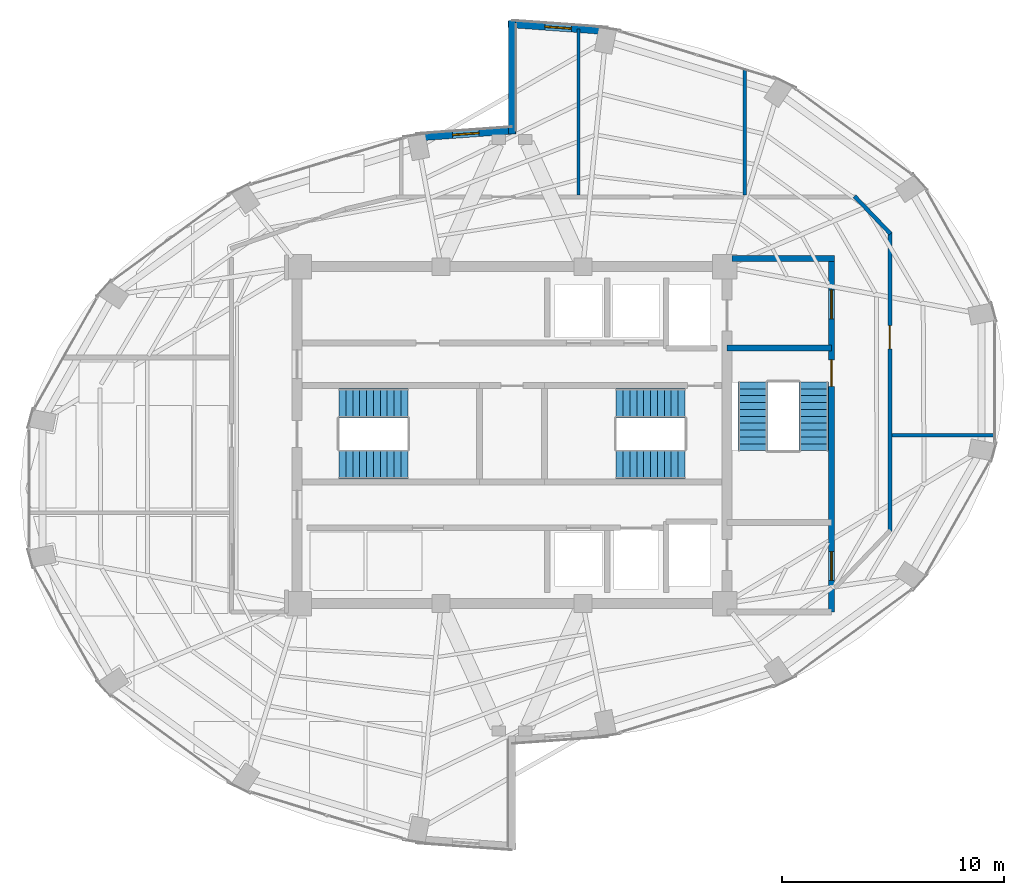
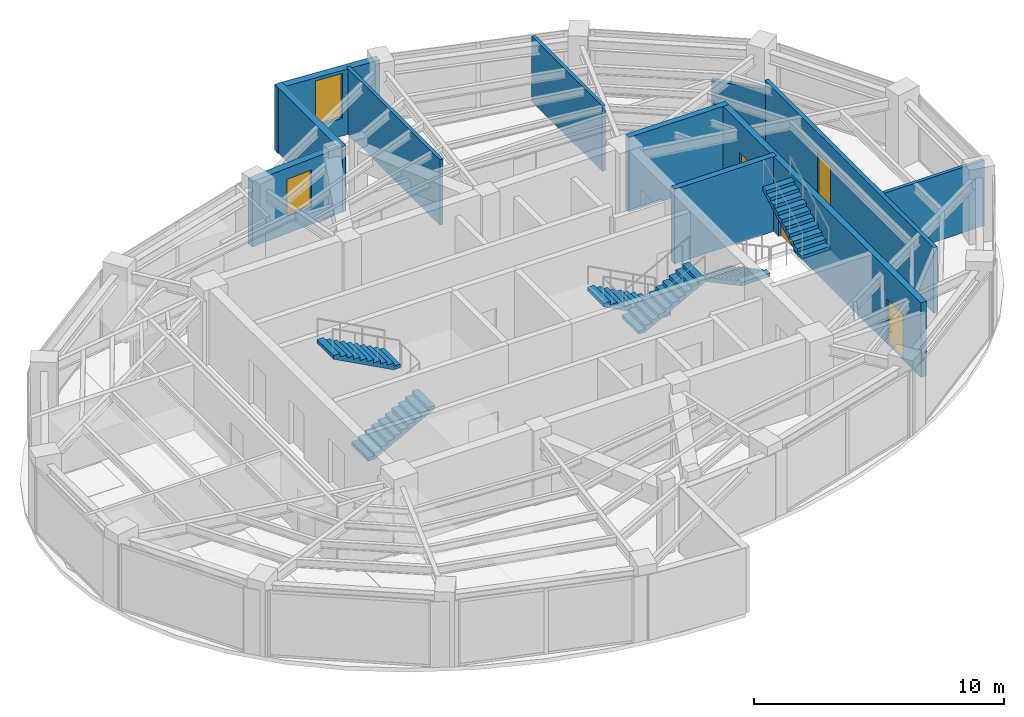
# One storey, part 20 of 22: 11 walls, 6 stair flights, 4 doors, 2 windows, 6 openings, 3 elements without a shape of their own.
"""IFC4 building model written with IfcOpenShell, lengths in metres."""

from ifc_helpers import new_model, si_unit, direction, frame, frame_2d, origin, place, context, subcontext, project, spatial, polyline, rectangle, outline, extrude, material, layer, layer_set, type_object, element, fill, aggregate, save


model = new_model("IFC4")

# Units and contexts
model_context = context("Model", 3, precision=1e-05, world=origin(), true_north=direction((0.0, 1.0)))
body_context = subcontext(model_context, "Body", "Model", "MODEL_VIEW")
ifc_project = project(units=[si_unit("LENGTHUNIT", "METRE"), si_unit("AREAUNIT", "SQUARE_METRE"), si_unit("VOLUMEUNIT", "CUBIC_METRE"), si_unit("PLANEANGLEUNIT", "RADIAN"), si_unit("MASSUNIT", "GRAM", prefix="KILO")], contexts=[model_context])

# Site, building, storey
site_placement = place(None, origin())
site = spatial("IfcSite", under=ifc_project, at=site_placement, CompositionType="ELEMENT")
building_placement = place(site_placement, origin())
building = spatial("IfcBuilding", under=site, at=building_placement, Name="Lazwardi Medical Tower", CompositionType="ELEMENT")
storey_placement = place(building_placement, frame((0.0, 0.0, 242.256103515625)))
storey = spatial("IfcBuildingStorey", under=building, at=storey_placement, Name="L63", CompositionType="ELEMENT", Elevation=242.256103515625)

# Wall
ifc_material_1 = material(Name="Fire-rated gypsum board on steel stud", Category="steel")
ifc_layer_1 = layer(ifc_material_1, 0.179931640625)
ifc_layer_set_1 = layer_set([ifc_layer_1], Name="Fire-rated gypsum board on steel stud")
wall_type_1 = type_object("IfcWallType", Name="WL-COR-180", PredefinedType="PARTITIONING", material=ifc_layer_set_1)
wall_1_placement = place(storey_placement, frame((51.45751953125, 38.77880859375, 0.0), z_axis=(0.0, 0.0, 1.0), x_axis=(0.691359830363, -0.722510612352, 0.0)))
element("IfcWall", 1, at=wall_1_placement, inside=storey, type_object=wall_type_1, Name="L63 Corridor partition 4", PredefinedType="PARTITIONING", context=body_context, shape_type="SweptSolid", body=[
    extrude(rectangle(XDim=2.34326171875, YDim=0.179931640625, at=frame_2d((1.171630859375, 0.0))), origin(), (0.0, 0.0, 1.0), 2.782958984375),
])

# Wall, opening, door
wall_2_placement = place(storey_placement, frame((53.050048828125, 37.154541015625, 0.0), z_axis=(0.0, 0.0, 1.0), x_axis=(0.0, -1.0, 0.0)))
wall_2 = element("IfcWall", 2, at=wall_2_placement, inside=storey, type_object=wall_type_1, Name="L63 Corridor partition 5", PredefinedType="PARTITIONING", context=body_context, shape_type="SweptSolid", body=[
    extrude(rectangle(XDim=13.509033203125, YDim=0.179931640625, at=frame_2d((6.75439453125, 0.0))), origin(), (0.0, 0.0, 1.0), 3.197998046875),
])
opening_1_placement = place(wall_2_placement, frame((4.211181640625, 0.0, 0.0)))
opening_1 = element("IfcOpeningElement", 3, at=opening_1_placement, cuts=wall_2, Name="Opening D-L63-010", PredefinedType="OPENING", context=body_context, shape_type="SweptSolid", body=[
    extrude(rectangle(XDim=1.050048828125, YDim=2.14990234375, at=frame_2d((0.52490234375, 1.074951171875))), frame((0.0, 0.099853515625, 0.0), z_axis=(0.0, -1.0, 0.0), x_axis=(1.0, 0.0, 0.0)), (0.0, 0.0, 1.0), 0.199951171875),
])
ifc_material_2 = material(Name="Anti-microbial laminate hospital leaf")
door_type_1 = type_object("IfcDoorType", Name="DR-CLN-1050", OperationType="NOTDEFINED", PredefinedType="DOOR", material=ifc_material_2)
door_1_placement = place(opening_1_placement, origin())
door_1 = element("IfcDoor", 4, at=door_1_placement, inside=storey, type_object=door_type_1, Name="L63 Medical Duty Staff Room Door 03", OperationType="SINGLE_SWING_LEFT", OverallHeight=2.14990234375, OverallWidth=1.050048828125, PredefinedType="DOOR", context=body_context, shape_type="SweptSolid", body=[
    extrude(rectangle(XDim=1.050048828125, YDim=2.14990234375, at=frame_2d((0.52490234375, 1.074951171875))), frame((0.0, 0.02490234375, 0.0), z_axis=(0.0, -1.0, 0.0), x_axis=(1.0, 0.0, 0.0)), (0.0, 0.0, 1.0), 0.050048828125),
])
fill(opening_1, door_1)

# Wall, opening, window
ifc_material_3 = material(Name="Precast concrete C45/55", Category="concrete")
ifc_layer_2 = layer(ifc_material_3, 0.320068359375)
ifc_layer_set_2 = layer_set([ifc_layer_2], Name="Precast concrete C45/55")
wall_type_2 = type_object("IfcWallType", Name="WL-IWAN-320", PredefinedType="SOLIDWALL", material=ifc_layer_set_2)
wall_3_placement = place(storey_placement, frame((40.349609375, 46.226318359375, 0.0), z_axis=(0.0, 0.0, 1.0), x_axis=(-0.997409061056, 0.071938619141, 0.0)))
wall_3 = element("IfcWall", 5, at=wall_3_placement, inside=storey, type_object=wall_type_2, Name="L63 Iwan Portal Return Wall NE_ret", PredefinedType="SOLIDWALL", context=body_context, shape_type="SweptSolid", body=[
    extrude(rectangle(XDim=4.540771484375, YDim=0.320068359375, at=frame_2d((2.2705078125, 0.0))), origin(), (0.0, 0.0, 1.0), 3.197998046875),
])
opening_2_placement = place(wall_3_placement, frame((1.67041015625, 0.0, 0.85009765625)))
opening_2 = element("IfcOpeningElement", 6, at=opening_2_placement, cuts=wall_3, Name="Opening WN-01", PredefinedType="OPENING", context=body_context, shape_type="SweptSolid", body=[
    extrude(rectangle(XDim=1.199951171875, YDim=2.199951171875, at=frame_2d((0.60009765625, 1.10009765625))), frame((0.0, 0.169921875, 0.0), z_axis=(0.0, -1.0, 0.0), x_axis=(1.0, 0.0, 0.0)), (0.0, 0.0, 1.0), 0.340087890625),
])
ifc_material_4 = material(Name="Low-e bronze solar control double glazing", Category="glass")
window_type_1 = type_object("IfcWindowType", Name="WIN-IW-1200", PartitioningType="SINGLE_PANEL", PredefinedType="WINDOW", material=ifc_material_4)
window_1_placement = place(opening_2_placement, origin())
window_1 = element("IfcWindow", 7, at=window_1_placement, inside=storey, type_object=window_type_1, Name="L63 Iwan Slot Window NE_ret", OverallHeight=2.199951171875, OverallWidth=1.199951171875, PartitioningType="SINGLE_PANEL", PredefinedType="WINDOW", context=body_context, shape_type="SweptSolid", body=[
    extrude(rectangle(XDim=1.199951171875, YDim=2.199951171875, at=frame_2d((0.60009765625, 1.10009765625))), frame((0.0, 0.030029296875, 0.0), z_axis=(0.0, -1.0, 0.0), x_axis=(1.0, 0.0, 0.0)), (0.0, 0.0, 1.0), 0.06005859375),
])
fill(opening_2, window_1)

wall_4_placement = place(storey_placement, frame((36.17919921875, 41.7529296875, 0.0), z_axis=(0.0, 0.0, 1.0), x_axis=(-0.997408782787, -0.071942477163, 0.0)))
wall_4 = element("IfcWall", 8, at=wall_4_placement, inside=storey, type_object=wall_type_2, Name="L63 Iwan Portal Return Wall NW_ret", PredefinedType="SOLIDWALL", context=body_context, shape_type="SweptSolid", body=[
    extrude(rectangle(XDim=4.54052734375, YDim=0.320068359375, at=frame_2d((2.270263671875, 0.0))), origin(), (0.0, 0.0, 1.0), 3.197998046875),
])
opening_3_placement = place(wall_4_placement, frame((1.67041015625, 0.0, 0.85009765625)))
opening_3 = element("IfcOpeningElement", 9, at=opening_3_placement, cuts=wall_4, Name="Opening WN-04", PredefinedType="OPENING", context=body_context, shape_type="SweptSolid", body=[
    extrude(rectangle(XDim=1.199951171875, YDim=1.800048828125, at=frame_2d((0.60009765625, 0.89990234375))), frame((0.0, 0.169921875, 0.0), z_axis=(0.0, -1.0, 0.0), x_axis=(1.0, 0.0, 0.0)), (0.0, 0.0, 1.0), 0.340087890625),
])
window_type_2 = type_object("IfcWindowType", Name="WIN-DRUM-1200", PartitioningType="SINGLE_PANEL", PredefinedType="WINDOW", material=ifc_material_4)
window_2_placement = place(opening_3_placement, origin())
window_2 = element("IfcWindow", 10, at=window_2_placement, inside=storey, type_object=window_type_2, Name="L63 Iwan Slot Window NW_ret", OverallHeight=1.800048828125, OverallWidth=1.199951171875, PartitioningType="SINGLE_PANEL", PredefinedType="WINDOW", context=body_context, shape_type="SweptSolid", body=[
    extrude(rectangle(XDim=1.199951171875, YDim=1.800048828125, at=frame_2d((0.60009765625, 0.89990234375))), frame((0.0, 0.030029296875, 0.0), z_axis=(0.0, -1.0, 0.0), x_axis=(1.0, 0.0, 0.0)), (0.0, 0.0, 1.0), 0.06005859375),
])
fill(opening_3, window_2)

# Wall
wall_5_placement = place(storey_placement, frame((36.0, 46.699951171875, 0.0), z_axis=(0.0, 0.0, 1.0), x_axis=(0.0, -1.0, 0.0)))
element("IfcWall", 11, at=wall_5_placement, inside=storey, type_object=wall_type_2, Name="L63 Turquoise Tilework Iwan Seam Wall N_seam", PredefinedType="SOLIDWALL", context=body_context, shape_type="SweptSolid", body=[
    extrude(rectangle(XDim=5.119873046875, YDim=0.320068359375, at=frame_2d((2.56005859375, 0.0))), origin(), (0.0, 0.0, 1.0), 3.197998046875),
])

# Wall, openings, doors
ifc_material_5 = material(Name="Concrete C50/60", Category="concrete")
ifc_layer_3 = layer(ifc_material_5, 0.27001953125)
ifc_layer_set_3 = layer_set([ifc_layer_3], Name="Concrete C50/60")
wall_type_3 = type_object("IfcWallType", Name="WL-STR-250", PredefinedType="SHEAR", material=ifc_layer_set_3)
wall_6_placement = place(storey_placement, frame((50.4150390625, 35.844970703125, 0.0), z_axis=(0.0, 0.0, 1.0), x_axis=(0.0, -1.0, 0.0)))
wall_6 = element("IfcWall", 12, at=wall_6_placement, inside=storey, type_object=wall_type_3, Name="L63 East ST3 & FFL shear wall SW-S1", PredefinedType="SHEAR", context=body_context, shape_type="SweptSolid", body=[
    extrude(rectangle(XDim=15.824951171875, YDim=0.27001953125, at=frame_2d((7.91259765625, 0.0))), origin(), (0.0, 0.0, 1.0), 3.64794921875),
])
opening_4_placement = place(wall_6_placement, frame((4.445068359375, 0.0, 0.0)))
opening_4 = element("IfcOpeningElement", 13, at=opening_4_placement, cuts=wall_6, Name="Opening D-L63-016", PredefinedType="OPENING", context=body_context, shape_type="SweptSolid", body=[
    extrude(rectangle(XDim=1.199951171875, YDim=2.14990234375, at=frame_2d((0.60009765625, 1.074951171875))), frame((0.0, 0.14501953125, 0.0), z_axis=(0.0, -1.0, 0.0), x_axis=(1.0, 0.0, 0.0)), (0.0, 0.0, 1.0), 0.2900390625),
])
opening_5_placement = place(wall_6_placement, frame((1.294921875, 0.0, 0.0)))
opening_5 = element("IfcOpeningElement", 14, at=opening_5_placement, cuts=wall_6, Name="Opening D-L63-004", PredefinedType="OPENING", context=body_context, shape_type="SweptSolid", body=[
    extrude(rectangle(XDim=1.300048828125, YDim=2.199951171875, at=frame_2d((0.64990234375, 1.10009765625))), frame((0.0, 0.14501953125, 0.0), z_axis=(0.0, -1.0, 0.0), x_axis=(1.0, 0.0, 0.0)), (0.0, 0.0, 1.0), 0.2900390625),
])
opening_6_placement = place(wall_6_placement, frame((13.094970703125, 0.0, 0.0)))
opening_6 = element("IfcOpeningElement", 15, at=opening_6_placement, cuts=wall_6, Name="Opening D-L63-005", PredefinedType="OPENING", context=body_context, shape_type="SweptSolid", body=[
    extrude(rectangle(XDim=1.300048828125, YDim=2.199951171875, at=frame_2d((0.64990234375, 1.10009765625))), frame((0.0, 0.14501953125, 0.0), z_axis=(0.0, -1.0, 0.0), x_axis=(1.0, 0.0, 0.0)), (0.0, 0.0, 1.0), 0.2900390625),
])
ifc_material_6 = material(Name="Fire-rated steel leaf and frame", Category="steel")
door_type_2 = type_object("IfcDoorType", Name="DR-FFL-1300", OperationType="NOTDEFINED", PredefinedType="DOOR", material=ifc_material_6)
door_2_placement = place(opening_5_placement, origin())
door_2 = element("IfcDoor", 16, at=door_2_placement, inside=storey, type_object=door_type_2, Name="L63 Fire-Fighting Lobby North Door", OperationType="SINGLE_SWING_LEFT", OverallHeight=2.199951171875, OverallWidth=1.300048828125, PredefinedType="DOOR", context=body_context, shape_type="SweptSolid", body=[
    extrude(rectangle(XDim=1.300048828125, YDim=2.199951171875, at=frame_2d((0.64990234375, 1.10009765625))), frame((0.0, 0.02490234375, 0.0), z_axis=(0.0, -1.0, 0.0), x_axis=(1.0, 0.0, 0.0)), (0.0, 0.0, 1.0), 0.050048828125),
])
fill(opening_5, door_2)
door_3_placement = place(opening_6_placement, origin())
door_3 = element("IfcDoor", 17, at=door_3_placement, inside=storey, type_object=door_type_2, Name="L63 Fire-Fighting Lobby South Door", OperationType="SINGLE_SWING_RIGHT", OverallHeight=2.199951171875, OverallWidth=1.300048828125, PredefinedType="DOOR", context=body_context, shape_type="SweptSolid", body=[
    extrude(rectangle(XDim=1.300048828125, YDim=2.199951171875, at=frame_2d((0.64990234375, 1.10009765625))), frame((0.0, 0.02490234375, 0.0), z_axis=(0.0, -1.0, 0.0), x_axis=(1.0, 0.0, 0.0)), (0.0, 0.0, 1.0), 0.050048828125),
])
fill(opening_6, door_3)
door_type_3 = type_object("IfcDoorType", Name="DR-STR-1200", OperationType="NOTDEFINED", PredefinedType="DOOR", material=ifc_material_6)
door_4_placement = place(opening_4_placement, origin())
door_4 = element("IfcDoor", 18, at=door_4_placement, inside=storey, type_object=door_type_3, Name="L63 Exit Stair ST3 Door", OperationType="SINGLE_SWING_RIGHT", OverallHeight=2.14990234375, OverallWidth=1.199951171875, PredefinedType="DOOR", context=body_context, shape_type="SweptSolid", body=[
    extrude(rectangle(XDim=1.199951171875, YDim=2.14990234375, at=frame_2d((0.60009765625, 1.074951171875))), frame((0.0, 0.02490234375, 0.0), z_axis=(0.0, -1.0, 0.0), x_axis=(1.0, 0.0, 0.0)), (0.0, 0.0, 1.0), 0.050048828125),
])
fill(opening_4, door_4)

# Walls
wall_7_placement = place(storey_placement, frame((45.925048828125, 35.97998046875, 0.0), z_axis=(0.0, 0.0, 1.0), x_axis=(1.0, 0.0, 0.0)))
element("IfcWall", 19, at=wall_7_placement, inside=storey, type_object=wall_type_3, Name="L63 FFL-N North shear wall SW-S1", PredefinedType="SHEAR", context=body_context, shape_type="SweptSolid", body=[
    extrude(rectangle(XDim=4.625, YDim=0.27001953125, at=frame_2d((2.3125, 0.0))), origin(), (0.0, 0.0, 1.0), 3.64794921875),
])
wall_8_placement = place(storey_placement, frame((45.699951171875, 31.93505859375, 0.0), z_axis=(0.0, 0.0, 1.0), x_axis=(1.0, 0.0, 0.0)))
element("IfcWall", 20, at=wall_8_placement, inside=storey, type_object=wall_type_3, Name="L63 ST3 North shear shaft wall SW-S1", PredefinedType="SHEAR", context=body_context, shape_type="SweptSolid", body=[
    extrude(rectangle(XDim=4.715087890625, YDim=0.27001953125, at=frame_2d((2.357421875, 0.0))), origin(), (0.0, 0.0, 1.0), 3.64794921875),
])
ifc_material_7 = material(Name="Acoustic gypsum board partition")
ifc_layer_4 = layer(ifc_material_7, 0.14990234375)
ifc_layer_set_4 = layer_set([ifc_layer_4], Name="Acoustic gypsum board partition")
wall_type_4 = type_object("IfcWallType", Name="WL-WRD-150", PredefinedType="PARTITIONING", material=ifc_layer_set_4)
wall_9_placement = place(storey_placement, frame((53.139892578125, 28.0, 0.0), z_axis=(0.0, 0.0, 1.0), x_axis=(1.0, 0.0, 0.0)))
element("IfcWall", 21, at=wall_9_placement, inside=storey, type_object=wall_type_4, Name="L63 Room partition 3", PredefinedType="PARTITIONING", context=body_context, shape_type="SweptSolid", body=[
    extrude(rectangle(XDim=4.6318359375, YDim=0.14990234375, at=frame_2d((2.31591796875, 0.0))), origin(), (0.0, 0.0, 1.0), 3.197998046875),
])
wall_10_placement = place(storey_placement, frame((39.0, 38.840087890625, 0.0), z_axis=(0.0, 0.0, 1.0), x_axis=(0.0, 1.0, 0.0)))
element("IfcWall", 22, at=wall_10_placement, inside=storey, type_object=wall_type_4, Name="L63 Room partition 5", PredefinedType="PARTITIONING", context=body_context, shape_type="SweptSolid", body=[
    extrude(rectangle(XDim=7.482421875, YDim=0.14990234375, at=frame_2d((3.7412109375, 0.0))), origin(), (0.0, 0.0, 1.0), 3.197998046875),
])
wall_11_placement = place(storey_placement, frame((46.5, 38.840087890625, 0.0), z_axis=(0.0, 0.0, 1.0), x_axis=(0.0, 1.0, 0.0)))
element("IfcWall", 23, at=wall_11_placement, inside=storey, type_object=wall_type_4, Name="L63 Room partition 6", PredefinedType="PARTITIONING", context=body_context, shape_type="SweptSolid", body=[
    extrude(rectangle(XDim=5.64111328125, YDim=0.14990234375, at=frame_2d((2.820556640625, 0.0))), origin(), (0.0, 0.0, 1.0), 3.197998046875),
])

# Stair, stair flights
ifc_material_8 = material(Name="Concrete C45/55", Category="concrete")
stair_type = type_object("IfcStairType", Name="STR-WRD", PredefinedType="HALF_TURN_STAIR", material=ifc_material_8)
stair_1_placement = place(storey_placement, origin())
stair_1 = element("IfcStair", 24, at=stair_1_placement, inside=storey, type_object=stair_type, Name="L63 Protected Exit Stair ST1", PredefinedType="HALF_TURN_STAIR")
stair_flight_type = type_object("IfcStairFlightType", Name="FLT-WRD", PredefinedType="STRAIGHT", material=ifc_material_8)
stair_flight_1_placement = place(storey_placement, frame((28.199951171875, 26.679931640625, 0.0), z_axis=(0.0, 0.0, 1.0), x_axis=(1.0, 0.0, 0.0)))
stair_flight_1 = element("IfcStairFlight", 25, at=stair_flight_1_placement, type_object=stair_flight_type, Name="ST1 flight 1", NumberOfRisers=11, NumberOfTreads=10, PredefinedType="STRAIGHT", RiserHeight=0.165818182, TreadLength=0.31, context=body_context, shape_type="SweptSolid", body=[
    extrude(outline(polyline([(0.0, 0.0), (0.0, 0.165771484375), (0.31005859375, 0.165771484375), (0.31005859375, 0.33154296875), (0.6201171875, 0.33154296875), (0.6201171875, 0.49755859375), (0.929931640625, 0.49755859375), (0.929931640625, 0.663330078125), (1.239990234375, 0.663330078125), (1.239990234375, 0.8291015625), (1.550048828125, 0.8291015625), (1.550048828125, 0.994873046875), (1.860107421875, 0.994873046875), (1.860107421875, 1.16064453125), (2.169921875, 1.16064453125), (2.169921875, 1.32666015625), (2.47998046875, 1.32666015625), (2.47998046875, 1.492431640625), (2.7900390625, 1.492431640625), (2.7900390625, 1.658203125), (3.10009765625, 1.658203125), (3.10009765625, 1.823974609375), (3.10009765625, 1.48828125), (0.31787109375, 0.0), (0.0, 0.0)])), frame((0.0, 0.66015625, 0.0), z_axis=(0.0, -1.0, 0.0), x_axis=(1.0, 0.0, 0.0)), (0.0, 0.0, 1.0), 1.320068359375),
])
stair_flight_2_placement = place(storey_placement, frame((31.300048828125, 29.43994140625, 1.823974609375), z_axis=(0.0, 0.0, 1.0), x_axis=(-1.0, 0.0, 0.0)))
stair_flight_2 = element("IfcStairFlight", 26, at=stair_flight_2_placement, type_object=stair_flight_type, Name="ST1 flight 2", NumberOfRisers=11, NumberOfTreads=10, PredefinedType="STRAIGHT", RiserHeight=0.165818182, TreadLength=0.31, context=body_context, shape_type="SweptSolid", body=[
    extrude(outline(polyline([(0.0, 0.0), (0.0, 0.165771484375), (0.31005859375, 0.165771484375), (0.31005859375, 0.33154296875), (0.6201171875, 0.33154296875), (0.6201171875, 0.49755859375), (0.929931640625, 0.49755859375), (0.929931640625, 0.663330078125), (1.239990234375, 0.663330078125), (1.239990234375, 0.8291015625), (1.550048828125, 0.8291015625), (1.550048828125, 0.994873046875), (1.860107421875, 0.994873046875), (1.860107421875, 1.16064453125), (2.169921875, 1.16064453125), (2.169921875, 1.32666015625), (2.47998046875, 1.32666015625), (2.47998046875, 1.492431640625), (2.7900390625, 1.492431640625), (2.7900390625, 1.658203125), (3.10009765625, 1.658203125), (3.10009765625, 1.823974609375), (3.10009765625, 1.48828125), (0.31787109375, 0.0), (0.0, 0.0)])), frame((0.0, 0.66015625, 0.0), z_axis=(0.0, -1.0, 0.0), x_axis=(1.0, 0.0, 0.0)), (0.0, 0.0, 1.0), 1.320068359375),
])
aggregate(stair_1, [stair_flight_1, stair_flight_2])

stair_2_placement = place(storey_placement, origin())
stair_2 = element("IfcStair", 27, at=stair_2_placement, inside=storey, type_object=stair_type, Name="L63 Protected Exit Stair ST2", PredefinedType="HALF_TURN_STAIR")
stair_flight_3_placement = place(storey_placement, frame((43.800048828125, 29.43994140625, 0.0), z_axis=(0.0, 0.0, 1.0), x_axis=(-1.0, 0.0, 0.0)))
stair_flight_3 = element("IfcStairFlight", 28, at=stair_flight_3_placement, type_object=stair_flight_type, Name="ST2 flight 1", NumberOfRisers=11, NumberOfTreads=10, PredefinedType="STRAIGHT", RiserHeight=0.165818182, TreadLength=0.31, context=body_context, shape_type="SweptSolid", body=[
    extrude(outline(polyline([(0.0, 0.0), (0.0, 0.165771484375), (0.31005859375, 0.165771484375), (0.31005859375, 0.33154296875), (0.6201171875, 0.33154296875), (0.6201171875, 0.49755859375), (0.929931640625, 0.49755859375), (0.929931640625, 0.663330078125), (1.239990234375, 0.663330078125), (1.239990234375, 0.8291015625), (1.550048828125, 0.8291015625), (1.550048828125, 0.994873046875), (1.860107421875, 0.994873046875), (1.860107421875, 1.16064453125), (2.169921875, 1.16064453125), (2.169921875, 1.32666015625), (2.47998046875, 1.32666015625), (2.47998046875, 1.492431640625), (2.7900390625, 1.492431640625), (2.7900390625, 1.658203125), (3.10009765625, 1.658203125), (3.10009765625, 1.823974609375), (3.10009765625, 1.48828125), (0.31787109375, 0.0), (0.0, 0.0)])), frame((0.0, 0.66015625, 0.0), z_axis=(0.0, -1.0, 0.0), x_axis=(1.0, 0.0, 0.0)), (0.0, 0.0, 1.0), 1.320068359375),
])
stair_flight_4_placement = place(storey_placement, frame((40.699951171875, 26.679931640625, 1.823974609375), z_axis=(0.0, 0.0, 1.0), x_axis=(1.0, 0.0, 0.0)))
stair_flight_4 = element("IfcStairFlight", 29, at=stair_flight_4_placement, type_object=stair_flight_type, Name="ST2 flight 2", NumberOfRisers=11, NumberOfTreads=10, PredefinedType="STRAIGHT", RiserHeight=0.165818182, TreadLength=0.31, context=body_context, shape_type="SweptSolid", body=[
    extrude(outline(polyline([(0.0, 0.0), (0.0, 0.165771484375), (0.31005859375, 0.165771484375), (0.31005859375, 0.33154296875), (0.6201171875, 0.33154296875), (0.6201171875, 0.49755859375), (0.929931640625, 0.49755859375), (0.929931640625, 0.663330078125), (1.239990234375, 0.663330078125), (1.239990234375, 0.8291015625), (1.550048828125, 0.8291015625), (1.550048828125, 0.994873046875), (1.860107421875, 0.994873046875), (1.860107421875, 1.16064453125), (2.169921875, 1.16064453125), (2.169921875, 1.32666015625), (2.47998046875, 1.32666015625), (2.47998046875, 1.492431640625), (2.7900390625, 1.492431640625), (2.7900390625, 1.658203125), (3.10009765625, 1.658203125), (3.10009765625, 1.823974609375), (3.10009765625, 1.48828125), (0.31787109375, 0.0), (0.0, 0.0)])), frame((0.0, 0.66015625, 0.0), z_axis=(0.0, -1.0, 0.0), x_axis=(1.0, 0.0, 0.0)), (0.0, 0.0, 1.0), 1.320068359375),
])
aggregate(stair_2, [stair_flight_3, stair_flight_4])

stair_3_placement = place(storey_placement, origin())
stair_3 = element("IfcStair", 30, at=stair_3_placement, inside=storey, type_object=stair_type, Name="L63 Protected Exit Stair ST3", PredefinedType="HALF_TURN_STAIR")
stair_flight_5_placement = place(storey_placement, frame((46.860107421875, 30.39990234375, 0.0), z_axis=(0.0, 0.0, 1.0), x_axis=(0.0, -1.0, 0.0)))
stair_flight_5 = element("IfcStairFlight", 31, at=stair_flight_5_placement, type_object=stair_flight_type, Name="ST3 flight 1", NumberOfRisers=11, NumberOfTreads=10, PredefinedType="STRAIGHT", RiserHeight=0.165818182, TreadLength=0.31, context=body_context, shape_type="SweptSolid", body=[
    extrude(outline(polyline([(0.0, 0.0), (0.0, 0.165771484375), (0.31005859375, 0.165771484375), (0.31005859375, 0.33154296875), (0.6201171875, 0.33154296875), (0.6201171875, 0.49755859375), (0.929931640625, 0.49755859375), (0.929931640625, 0.663330078125), (1.239990234375, 0.663330078125), (1.239990234375, 0.8291015625), (1.550048828125, 0.8291015625), (1.550048828125, 0.994873046875), (1.860107421875, 0.994873046875), (1.860107421875, 1.16064453125), (2.169921875, 1.16064453125), (2.169921875, 1.32666015625), (2.47998046875, 1.32666015625), (2.47998046875, 1.492431640625), (2.7900390625, 1.492431640625), (2.7900390625, 1.658203125), (3.10009765625, 1.658203125), (3.10009765625, 1.823974609375), (3.10009765625, 1.48828125), (0.31787109375, 0.0), (0.0, 0.0)])), frame((0.0, 0.66015625, 0.0), z_axis=(0.0, -1.0, 0.0), x_axis=(1.0, 0.0, 0.0)), (0.0, 0.0, 1.0), 1.320068359375),
])
stair_flight_6_placement = place(storey_placement, frame((49.6201171875, 27.300048828125, 1.823974609375), z_axis=(0.0, 0.0, 1.0), x_axis=(0.0, 1.0, 0.0)))
stair_flight_6 = element("IfcStairFlight", 32, at=stair_flight_6_placement, type_object=stair_flight_type, Name="ST3 flight 2", NumberOfRisers=11, NumberOfTreads=10, PredefinedType="STRAIGHT", RiserHeight=0.165818182, TreadLength=0.31, context=body_context, shape_type="SweptSolid", body=[
    extrude(outline(polyline([(0.0, 0.0), (0.0, 0.165771484375), (0.31005859375, 0.165771484375), (0.31005859375, 0.33154296875), (0.6201171875, 0.33154296875), (0.6201171875, 0.49755859375), (0.929931640625, 0.49755859375), (0.929931640625, 0.663330078125), (1.239990234375, 0.663330078125), (1.239990234375, 0.8291015625), (1.550048828125, 0.8291015625), (1.550048828125, 0.994873046875), (1.860107421875, 0.994873046875), (1.860107421875, 1.16064453125), (2.169921875, 1.16064453125), (2.169921875, 1.32666015625), (2.47998046875, 1.32666015625), (2.47998046875, 1.492431640625), (2.7900390625, 1.492431640625), (2.7900390625, 1.658203125), (3.10009765625, 1.658203125), (3.10009765625, 1.823974609375), (3.10009765625, 1.48828125), (0.31787109375, 0.0), (0.0, 0.0)])), frame((0.0, 0.66015625, 0.0), z_axis=(0.0, -1.0, 0.0), x_axis=(1.0, 0.0, 0.0)), (0.0, 0.0, 1.0), 1.320068359375),
])
aggregate(stair_3, [stair_flight_5, stair_flight_6])

save(model, "model.ifc")
